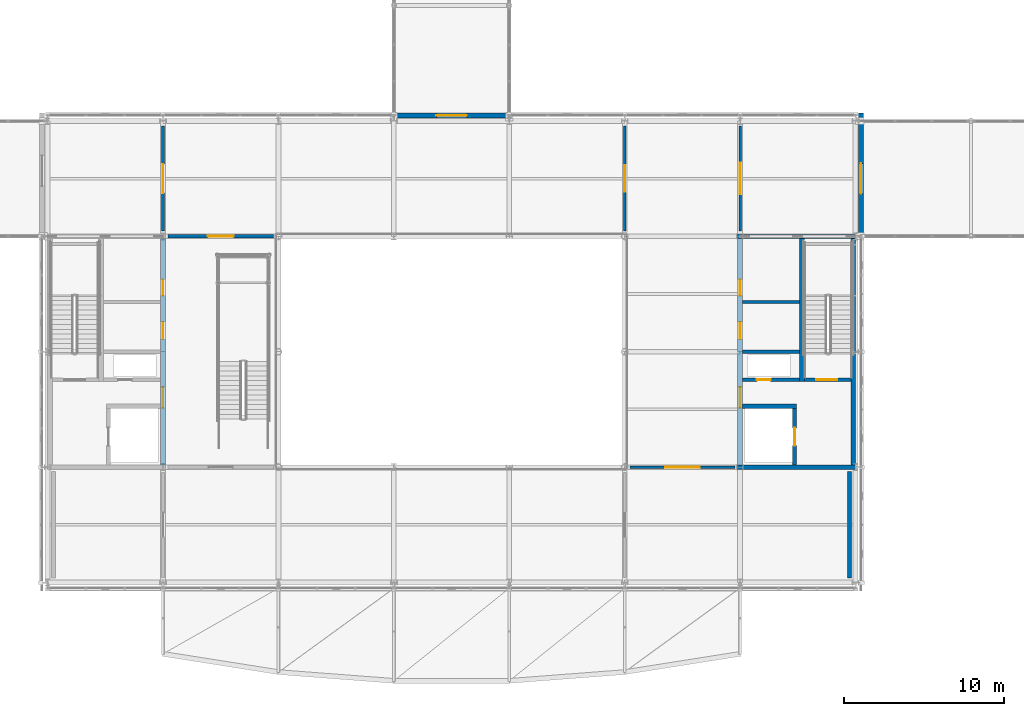
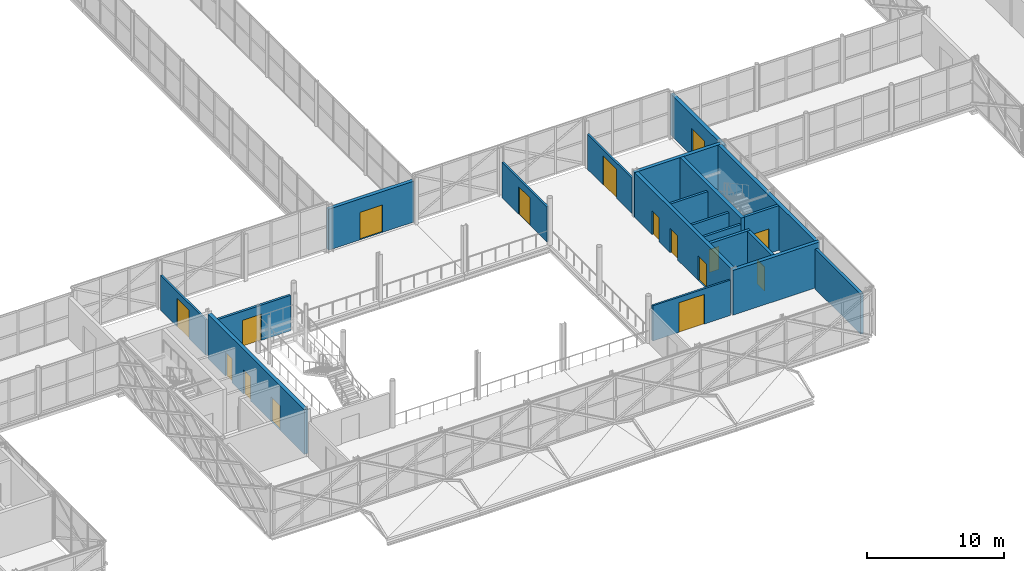
# One storey, part 121 of 146: 20 walls, 16 doors, 16 openings.
"""IFC4 building model written with IfcOpenShell, lengths in metres."""

from ifc_helpers import new_model, si_unit, direction, frame, frame_2d, origin, place, context, subcontext, project, spatial, rectangle, extrude, material, layer, layer_set, type_object, element, fill, save


model = new_model("IFC4")

# Units and contexts
model_context = context("Model", 3, precision=1e-05, world=origin(), true_north=direction((0.0, 1.0)))
body_context = subcontext(model_context, "Body", "Model", "MODEL_VIEW")
ifc_project = project(units=[si_unit("LENGTHUNIT", "METRE"), si_unit("AREAUNIT", "SQUARE_METRE"), si_unit("VOLUMEUNIT", "CUBIC_METRE"), si_unit("PLANEANGLEUNIT", "RADIAN"), si_unit("MASSUNIT", "GRAM", prefix="KILO")], contexts=[model_context])

# Site, building, storey
site_placement = place(None, origin())
site = spatial("IfcSite", under=ifc_project, at=site_placement, CompositionType="ELEMENT")
building_placement = place(site_placement, origin())
building = spatial("IfcBuilding", under=site, at=building_placement, Name="Zlatovets Crest Museum", CompositionType="ELEMENT")
storey_placement = place(building_placement, frame((0.0, 0.0, 4.5)))
storey = spatial("IfcBuildingStorey", under=building, at=storey_placement, Name="L01", CompositionType="ELEMENT", Elevation=4.5)

# Wall, openings, doors
ifc_material_1 = material(Name="Concrete C35/45", Category="concrete")
ifc_layer_1 = layer(ifc_material_1, 0.300048828125)
ifc_layer_set_1 = layer_set([ifc_layer_1], Name="Concrete C35/45")
wall_type_1 = type_object("IfcWallType", Name="CoreWall_SW01", PredefinedType="SHEAR", material=ifc_layer_set_1)
wall_1_placement = place(storey_placement, frame((64.800048828125, 7.35009765625, 0.0), z_axis=(0.0, 0.0, 1.0), x_axis=(0.0, 1.0, 0.0)))
wall_1 = element("IfcWall", 1, at=wall_1_placement, inside=storey, type_object=wall_type_1, Name="Core C2 L01 Spine Shear Wall", PredefinedType="SHEAR", context=body_context, shape_type="SweptSolid", body=[
    extrude(rectangle(XDim=14.099853515625, YDim=0.300048828125, at=frame_2d((7.0498046875, 0.0))), origin(), (0.0, 0.0, 1.0), 3.97998046875),
])
opening_1_placement = place(wall_1_placement, frame((3.550048828125, 0.0, 0.0)))
opening_1 = element("IfcOpeningElement", 2, at=opening_1_placement, cuts=wall_1, Name="Opening FD-01", PredefinedType="OPENING", context=body_context, shape_type="SweptSolid", body=[
    extrude(rectangle(XDim=1.300048828125, YDim=2.199951171875, at=frame_2d((0.64990234375, 1.10009765625))), frame((0.0, 0.16015625, 0.0), z_axis=(0.0, -1.0, 0.0), x_axis=(1.0, 0.0, 0.0)), (0.0, 0.0, 1.0), 0.320068359375),
])
opening_2_placement = place(wall_1_placement, frame((7.85009765625, 0.0, 0.0)))
opening_2 = element("IfcOpeningElement", 3, at=opening_2_placement, cuts=wall_1, Name="Opening ID-02", PredefinedType="OPENING", context=body_context, shape_type="SweptSolid", body=[
    extrude(rectangle(XDim=1.050048828125, YDim=2.14990234375, at=frame_2d((0.52490234375, 1.074951171875))), frame((0.0, 0.16015625, 0.0), z_axis=(0.0, -1.0, 0.0), x_axis=(1.0, 0.0, 0.0)), (0.0, 0.0, 1.0), 0.320068359375),
])
opening_3_placement = place(wall_1_placement, frame((10.550048828125, 0.0, 0.0)))
opening_3 = element("IfcOpeningElement", 4, at=opening_3_placement, cuts=wall_1, Name="Opening ID-01", PredefinedType="OPENING", context=body_context, shape_type="SweptSolid", body=[
    extrude(rectangle(XDim=1.0, YDim=2.14990234375, at=frame_2d((0.5, 1.074951171875))), frame((0.0, 0.16015625, 0.0), z_axis=(0.0, -1.0, 0.0), x_axis=(1.0, 0.0, 0.0)), (0.0, 0.0, 1.0), 0.320068359375),
])
ifc_material_2 = material(Name="Smoke-sealed steel fire door", Category="steel")
door_type_1 = type_object("IfcDoorType", Name="IntDoor_FD-01", OperationType="NOTDEFINED", PredefinedType="DOOR", material=ifc_material_2)
door_1_placement = place(opening_1_placement, origin())
door_1 = element("IfcDoor", 5, at=door_1_placement, inside=storey, type_object=door_type_1, Name="CDOOR-C2-L01-LOB Core C2 L01 Lobby Fire Door", OperationType="SINGLE_SWING_LEFT", OverallHeight=2.199951171875, OverallWidth=1.300048828125, PredefinedType="DOOR", context=body_context, shape_type="SweptSolid", body=[
    extrude(rectangle(XDim=1.300048828125, YDim=2.199951171875, at=frame_2d((0.64990234375, 1.10009765625))), frame((0.0, 0.02490234375, 0.0), z_axis=(0.0, -1.0, 0.0), x_axis=(1.0, 0.0, 0.0)), (0.0, 0.0, 1.0), 0.050048828125),
])
fill(opening_1, door_1)
ifc_material_3 = material(Name="Solid oak museum room door")
door_type_2 = type_object("IfcDoorType", Name="IntDoor_ID-01", OperationType="NOTDEFINED", PredefinedType="DOOR", material=ifc_material_3)
door_2_placement = place(opening_3_placement, origin())
door_2 = element("IfcDoor", 6, at=door_2_placement, inside=storey, type_object=door_type_2, Name="CDOOR-C2-L01-WC Core C2 L01 Public Restroom Door", OperationType="SINGLE_SWING_RIGHT", OverallHeight=2.14990234375, OverallWidth=1.0, PredefinedType="DOOR", context=body_context, shape_type="SweptSolid", body=[
    extrude(rectangle(XDim=1.0, YDim=2.14990234375, at=frame_2d((0.5, 1.074951171875))), frame((0.0, 0.02490234375, 0.0), z_axis=(0.0, -1.0, 0.0), x_axis=(1.0, 0.0, 0.0)), (0.0, 0.0, 1.0), 0.050048828125),
])
fill(opening_3, door_2)
ifc_material_4 = material(Name="Accessible sanitary room door")
door_type_3 = type_object("IfcDoorType", Name="IntDoor_ID-02", OperationType="NOTDEFINED", PredefinedType="DOOR", material=ifc_material_4)
door_3_placement = place(opening_2_placement, origin())
door_3 = element("IfcDoor", 7, at=door_3_placement, inside=storey, type_object=door_type_3, Name="CDOOR-C2-L01-AWC Core C2 L01 Accessible WC Door", OperationType="SINGLE_SWING_LEFT", OverallHeight=2.14990234375, OverallWidth=1.050048828125, PredefinedType="DOOR", context=body_context, shape_type="SweptSolid", body=[
    extrude(rectangle(XDim=1.050048828125, YDim=2.14990234375, at=frame_2d((0.52490234375, 1.074951171875))), frame((0.0, 0.02490234375, 0.0), z_axis=(0.0, -1.0, 0.0), x_axis=(1.0, 0.0, 0.0)), (0.0, 0.0, 1.0), 0.050048828125),
])
fill(opening_2, door_3)

# Walls
for number, where, z_axis, x_axis, name in (
    (8, (100.64990234375, 7.199951171875, 0.0), (0.0, 0.0, 1.0), (1.0, 0.0, 0.0), "Core C8 L01 South Shear Wall"),
    (9, (100.64990234375, 21.60009765625, 0.0), (0.0, 0.0, 1.0), (1.0, 0.0, 0.0), "Core C8 L01 North Shear Wall"),
):
    element("IfcWall", number, at=place(storey_placement, frame(where, z_axis=z_axis, x_axis=x_axis)), inside=storey, type_object=wall_type_1, Name=name, PredefinedType="SHEAR", context=body_context, shape_type="SweptSolid", body=[
        extrude(rectangle(XDim=7.35009765625, YDim=0.300048828125, at=frame_2d((3.675048828125, 0.0))), origin(), (0.0, 0.0, 1.0), 3.97998046875),
    ])
wall_2_placement = place(storey_placement, frame((107.85009765625, 7.35009765625, 0.0), z_axis=(0.0, 0.0, 1.0), x_axis=(0.0, 1.0, 0.0)))
element("IfcWall", 10, at=wall_2_placement, inside=storey, type_object=wall_type_1, Name="Core C8 L01 Perimeter Shear Wall", PredefinedType="SHEAR", context=body_context, shape_type="SweptSolid", body=[
    extrude(rectangle(XDim=14.099853515625, YDim=0.300048828125, at=frame_2d((7.0498046875, 0.0))), origin(), (0.0, 0.0, 1.0), 3.97998046875),
])

# Wall, openings, doors
wall_3_placement = place(storey_placement, frame((100.800048828125, 7.35009765625, 0.0), z_axis=(0.0, 0.0, 1.0), x_axis=(0.0, 1.0, 0.0)))
wall_3 = element("IfcWall", 11, at=wall_3_placement, inside=storey, type_object=wall_type_1, Name="Core C8 L01 Spine Shear Wall", PredefinedType="SHEAR", context=body_context, shape_type="SweptSolid", body=[
    extrude(rectangle(XDim=14.099853515625, YDim=0.300048828125, at=frame_2d((7.0498046875, 0.0))), origin(), (0.0, 0.0, 1.0), 3.97998046875),
])
opening_4_placement = place(wall_3_placement, frame((3.550048828125, 0.0, 0.0)))
opening_4 = element("IfcOpeningElement", 12, at=opening_4_placement, cuts=wall_3, Name="Opening FD-01", PredefinedType="OPENING", context=body_context, shape_type="SweptSolid", body=[
    extrude(rectangle(XDim=1.300048828125, YDim=2.199951171875, at=frame_2d((0.64990234375, 1.10009765625))), frame((0.0, 0.16015625, 0.0), z_axis=(0.0, -1.0, 0.0), x_axis=(1.0, 0.0, 0.0)), (0.0, 0.0, 1.0), 0.320068359375),
])
opening_5_placement = place(wall_3_placement, frame((7.85009765625, 0.0, 0.0)))
opening_5 = element("IfcOpeningElement", 13, at=opening_5_placement, cuts=wall_3, Name="Opening ID-02", PredefinedType="OPENING", context=body_context, shape_type="SweptSolid", body=[
    extrude(rectangle(XDim=1.050048828125, YDim=2.14990234375, at=frame_2d((0.52490234375, 1.074951171875))), frame((0.0, 0.16015625, 0.0), z_axis=(0.0, -1.0, 0.0), x_axis=(1.0, 0.0, 0.0)), (0.0, 0.0, 1.0), 0.320068359375),
])
opening_6_placement = place(wall_3_placement, frame((10.550048828125, 0.0, 0.0)))
opening_6 = element("IfcOpeningElement", 14, at=opening_6_placement, cuts=wall_3, Name="Opening ID-01", PredefinedType="OPENING", context=body_context, shape_type="SweptSolid", body=[
    extrude(rectangle(XDim=1.0, YDim=2.14990234375, at=frame_2d((0.5, 1.074951171875))), frame((0.0, 0.16015625, 0.0), z_axis=(0.0, -1.0, 0.0), x_axis=(1.0, 0.0, 0.0)), (0.0, 0.0, 1.0), 0.320068359375),
])
door_4_placement = place(opening_4_placement, origin())
door_4 = element("IfcDoor", 15, at=door_4_placement, inside=storey, type_object=door_type_1, Name="CDOOR-C8-L01-LOB Core C8 L01 Lobby Fire Door", OperationType="SINGLE_SWING_LEFT", OverallHeight=2.199951171875, OverallWidth=1.300048828125, PredefinedType="DOOR", context=body_context, shape_type="SweptSolid", body=[
    extrude(rectangle(XDim=1.300048828125, YDim=2.199951171875, at=frame_2d((0.64990234375, 1.10009765625))), frame((0.0, 0.02490234375, 0.0), z_axis=(0.0, -1.0, 0.0), x_axis=(1.0, 0.0, 0.0)), (0.0, 0.0, 1.0), 0.050048828125),
])
fill(opening_4, door_4)
door_5_placement = place(opening_6_placement, origin())
door_5 = element("IfcDoor", 16, at=door_5_placement, inside=storey, type_object=door_type_2, Name="CDOOR-C8-L01-WC Core C8 L01 Public Restroom Door", OperationType="SINGLE_SWING_RIGHT", OverallHeight=2.14990234375, OverallWidth=1.0, PredefinedType="DOOR", context=body_context, shape_type="SweptSolid", body=[
    extrude(rectangle(XDim=1.0, YDim=2.14990234375, at=frame_2d((0.5, 1.074951171875))), frame((0.0, 0.02490234375, 0.0), z_axis=(0.0, -1.0, 0.0), x_axis=(1.0, 0.0, 0.0)), (0.0, 0.0, 1.0), 0.050048828125),
])
fill(opening_6, door_5)
door_6_placement = place(opening_5_placement, origin())
door_6 = element("IfcDoor", 17, at=door_6_placement, inside=storey, type_object=door_type_3, Name="CDOOR-C8-L01-AWC Core C8 L01 Accessible WC Door", OperationType="SINGLE_SWING_LEFT", OverallHeight=2.14990234375, OverallWidth=1.050048828125, PredefinedType="DOOR", context=body_context, shape_type="SweptSolid", body=[
    extrude(rectangle(XDim=1.050048828125, YDim=2.14990234375, at=frame_2d((0.52490234375, 1.074951171875))), frame((0.0, 0.02490234375, 0.0), z_axis=(0.0, -1.0, 0.0), x_axis=(1.0, 0.0, 0.0)), (0.0, 0.0, 1.0), 0.050048828125),
])
fill(opening_5, door_6)

# Wall
wall_4_placement = place(storey_placement, frame((104.64990234375, 12.5400390625, 0.0), z_axis=(0.0, 0.0, 1.0), x_axis=(0.0, 1.0, 0.0)))
element("IfcWall", 18, at=wall_4_placement, inside=storey, type_object=wall_type_1, Name="Core C8 L01 Stair Divider Wall", PredefinedType="SHEAR", context=body_context, shape_type="SweptSolid", body=[
    extrude(rectangle(XDim=8.909912109375, YDim=0.300048828125, at=frame_2d((4.455078125, 0.0))), origin(), (0.0, 0.0, 1.0), 3.97998046875),
])

# Wall, opening, door
ifc_layer_2 = layer(ifc_material_1, 0.25)
ifc_layer_set_2 = layer_set([ifc_layer_2], Name="Concrete C35/45")
wall_type_2 = type_object("IfcWallType", Name="CoreWall_SW02", PredefinedType="SHEAR", material=ifc_layer_set_2)
wall_5_placement = place(storey_placement, frame((104.199951171875, 7.35009765625, 0.0), z_axis=(0.0, 0.0, 1.0), x_axis=(0.0, 1.0, 0.0)))
wall_5 = element("IfcWall", 19, at=wall_5_placement, inside=storey, type_object=wall_type_2, Name="Core C8 L01 Lift Shaft Wall", PredefinedType="SHEAR", context=body_context, shape_type="SweptSolid", body=[
    extrude(rectangle(XDim=3.52490234375, YDim=0.25, at=frame_2d((1.762451171875, 0.0))), origin(), (0.0, 0.0, 1.0), 3.97998046875),
])
opening_7_placement = place(wall_5_placement, frame((1.199951171875, 0.0, 0.0)))
opening_7 = element("IfcOpeningElement", 20, at=opening_7_placement, cuts=wall_5, Name="Opening LD-01", PredefinedType="OPENING", context=body_context, shape_type="SweptSolid", body=[
    extrude(rectangle(XDim=1.10009765625, YDim=2.14990234375, at=frame_2d((0.550048828125, 1.074951171875))), frame((0.0, 0.135009765625, 0.0), z_axis=(0.0, -1.0, 0.0), x_axis=(1.0, 0.0, 0.0)), (0.0, 0.0, 1.0), 0.27001953125),
])
ifc_material_5 = material(Name="Stainless-bronze sliding lift landing door")
door_type_4 = type_object("IfcDoorType", Name="IntDoor_LD-01", OperationType="SLIDING_TO_LEFT", PredefinedType="DOOR", material=ifc_material_5)
door_7_placement = place(opening_7_placement, origin())
door_7 = element("IfcDoor", 21, at=door_7_placement, inside=storey, type_object=door_type_4, Name="LDOOR-PL5-L01 Lift PL5 L01 Sliding Landing Door", OperationType="SLIDING_TO_LEFT", OverallHeight=2.14990234375, OverallWidth=1.10009765625, PredefinedType="DOOR", context=body_context, shape_type="SweptSolid", body=[
    extrude(rectangle(XDim=1.10009765625, YDim=2.14990234375, at=frame_2d((0.550048828125, 1.074951171875))), frame((0.0, 0.02490234375, 0.0), z_axis=(0.0, -1.0, 0.0), x_axis=(1.0, 0.0, 0.0)), (0.0, 0.0, 1.0), 0.050048828125),
])
fill(opening_7, door_7)

wall_6_placement = place(storey_placement, frame((104.800048828125, 12.64990234375, 0.0), z_axis=(0.0, 0.0, 1.0), x_axis=(1.0, 0.0, 0.0)))
wall_6 = element("IfcWall", 22, at=wall_6_placement, inside=storey, type_object=wall_type_2, Name="Core C8 L01 Stairwell Fire Wall", PredefinedType="SHEAR", context=body_context, shape_type="SweptSolid", body=[
    extrude(rectangle(XDim=2.89990234375, YDim=0.219970703125, at=frame_2d((1.449951171875, 0.0))), origin(), (0.0, 0.0, 1.0), 3.97998046875),
])
opening_8_placement = place(wall_6_placement, frame((0.75, 0.0, 0.0)))
opening_8 = element("IfcOpeningElement", 23, at=opening_8_placement, cuts=wall_6, Name="Opening FD-01", PredefinedType="OPENING", context=body_context, shape_type="SweptSolid", body=[
    extrude(rectangle(XDim=1.300048828125, YDim=2.199951171875, at=frame_2d((0.64990234375, 1.10009765625))), frame((0.0, 0.1201171875, 0.0), z_axis=(0.0, -1.0, 0.0), x_axis=(1.0, 0.0, 0.0)), (0.0, 0.0, 1.0), 0.239990234375),
])
door_8_placement = place(opening_8_placement, origin())
door_8 = element("IfcDoor", 24, at=door_8_placement, inside=storey, type_object=door_type_1, Name="SDOOR-ST9-L01 Stair ST9 L01 Fire Door", OperationType="SINGLE_SWING_LEFT", OverallHeight=2.199951171875, OverallWidth=1.300048828125, PredefinedType="DOOR", context=body_context, shape_type="SweptSolid", body=[
    extrude(rectangle(XDim=1.300048828125, YDim=2.199951171875, at=frame_2d((0.64990234375, 1.10009765625))), frame((0.0, 0.02490234375, 0.0), z_axis=(0.0, -1.0, 0.0), x_axis=(1.0, 0.0, 0.0)), (0.0, 0.0, 1.0), 0.050048828125),
])
fill(opening_8, door_8)

# Walls
wall_7_placement = place(storey_placement, frame((100.949951171875, 11.0, 0.0), z_axis=(0.0, 0.0, 1.0), x_axis=(1.0, 0.0, 0.0)))
element("IfcWall", 25, at=wall_7_placement, inside=storey, type_object=wall_type_2, Name="Core C8 L01 Lift Shaft North Shear Wall", PredefinedType="SHEAR", context=body_context, shape_type="SweptSolid", body=[
    extrude(rectangle(XDim=3.375, YDim=0.25, at=frame_2d((1.6875, 0.0))), origin(), (0.0, 0.0, 1.0), 3.97998046875),
])
ifc_material_6 = material(Name="Insulated gallery conservation liner wall", Category="concrete")
ifc_layer_3 = layer(ifc_material_6, 0.300048828125)
ifc_layer_set_3 = layer_set([ifc_layer_3], Name="Insulated gallery conservation liner wall")
wall_type_3 = type_object("IfcWallType", Name="ExtWall_EW-02", PredefinedType="STANDARD", material=ifc_layer_set_3)
wall_8_placement = place(storey_placement, frame((107.6201171875, 0.280029296875, 0.0), z_axis=(0.0, 0.0, 1.0), x_axis=(0.0, 1.0, 0.0)))
element("IfcWall", 26, at=wall_8_placement, inside=storey, type_object=wall_type_3, Name="V2 L01 Interior Conservation Gallery Liner Wall", PredefinedType="STANDARD", context=body_context, shape_type="SweptSolid", body=[
    extrude(rectangle(XDim=6.639892578125, YDim=0.239990234375, at=frame_2d((3.31982421875, 0.0))), origin(), (0.0, 0.0, 1.0), 3.580078125),
])

# Wall, opening, door
wall_9_placement = place(storey_placement, frame((108.340087890625, 21.60009765625, 0.0), z_axis=(0.0, 0.0, 1.0), x_axis=(0.0, 1.0, 0.0)))
wall_9 = element("IfcWall", 27, at=wall_9_placement, inside=storey, type_object=wall_type_3, Name="V2 L01 Bridge Portal Wall", PredefinedType="STANDARD", context=body_context, shape_type="SweptSolid", body=[
    extrude(rectangle(XDim=7.679931640625, YDim=0.300048828125, at=frame_2d((3.83984375, 0.0))), origin(), (0.0, 0.0, 1.0), 3.64990234375),
])
opening_9_placement = place(wall_9_placement, frame((2.64990234375, 0.0, 0.0)))
opening_9 = element("IfcOpeningElement", 28, at=opening_9_placement, cuts=wall_9, Name="Opening ED-02", PredefinedType="OPENING", context=body_context, shape_type="SweptSolid", body=[
    extrude(rectangle(XDim=1.89990234375, YDim=2.449951171875, at=frame_2d((0.949951171875, 1.22509765625))), frame((0.0, 0.16015625, 0.0), z_axis=(0.0, -1.0, 0.0), x_axis=(1.0, 0.0, 0.0)), (0.0, 0.0, 1.0), 0.320068359375),
])
ifc_material_7 = material(Name="Bronze-clad insulated steel door", Category="steel")
door_type_5 = type_object("IfcDoorType", Name="ExtDoor_ED-02", OperationType="NOTDEFINED", PredefinedType="DOOR", material=ifc_material_7)
door_9_placement = place(opening_9_placement, origin())
door_9 = element("IfcDoor", 29, at=door_9_placement, inside=storey, type_object=door_type_5, Name="ED-V2-L01-BR020 V2 L01 Bridge Link Portal Door", OperationType="DOUBLE_DOOR_SINGLE_SWING", OverallHeight=2.449951171875, OverallWidth=1.89990234375, PredefinedType="DOOR", context=body_context, shape_type="SweptSolid", body=[
    extrude(rectangle(XDim=1.89990234375, YDim=2.449951171875, at=frame_2d((0.949951171875, 1.22509765625))), frame((0.0, 0.02490234375, 0.0), z_axis=(0.0, -1.0, 0.0), x_axis=(1.0, 0.0, 0.0)), (0.0, 0.0, 1.0), 0.050048828125),
])
fill(opening_9, door_9)

wall_10_placement = place(storey_placement, frame((86.39990234375, 29.139892578125, 0.0), z_axis=(0.0, 0.0, 1.0), x_axis=(-1.0, 0.0, 0.0)))
wall_10 = element("IfcWall", 30, at=wall_10_placement, inside=storey, type_object=wall_type_3, Name="V2 L01 Bridge Portal Wall", PredefinedType="STANDARD", context=body_context, shape_type="SweptSolid", body=[
    extrude(rectangle(XDim=7.199951171875, YDim=0.300048828125, at=frame_2d((3.60009765625, 0.0))), origin(), (0.0, 0.0, 1.0), 3.64990234375),
])
opening_10_placement = place(wall_10_placement, frame((2.64990234375, 0.0, 0.0)))
opening_10 = element("IfcOpeningElement", 31, at=opening_10_placement, cuts=wall_10, Name="Opening ED-02", PredefinedType="OPENING", context=body_context, shape_type="SweptSolid", body=[
    extrude(rectangle(XDim=1.89990234375, YDim=2.449951171875, at=frame_2d((0.949951171875, 1.22509765625))), frame((0.0, 0.16015625, 0.0), z_axis=(0.0, -1.0, 0.0), x_axis=(1.0, 0.0, 0.0)), (0.0, 0.0, 1.0), 0.320068359375),
])
door_10_placement = place(opening_10_placement, origin())
door_10 = element("IfcDoor", 32, at=door_10_placement, inside=storey, type_object=door_type_5, Name="ED-V2-L01-BR021 V2 L01 Bridge Link Portal Door", OperationType="DOUBLE_DOOR_SINGLE_SWING", OverallHeight=2.449951171875, OverallWidth=1.89990234375, PredefinedType="DOOR", context=body_context, shape_type="SweptSolid", body=[
    extrude(rectangle(XDim=1.89990234375, YDim=2.449951171875, at=frame_2d((0.949951171875, 1.22509765625))), frame((0.0, 0.02490234375, 0.0), z_axis=(0.0, -1.0, 0.0), x_axis=(1.0, 0.0, 0.0)), (0.0, 0.0, 1.0), 0.050048828125),
])
fill(opening_10, door_10)

ifc_material_8 = material(Name="Gypsum-encased fire compartment partition")
ifc_layer_4 = layer(ifc_material_8, 0.199951171875)
ifc_layer_set_4 = layer_set([ifc_layer_4], Name="Gypsum-encased fire compartment partition")
wall_type_4 = type_object("IfcWallType", Name="PartWall_PT-01", PredefinedType="PARTITIONING", material=ifc_layer_set_4)
wall_11_placement = place(storey_placement, frame((65.1201171875, 21.60009765625, 0.0), z_axis=(0.0, 0.0, 1.0), x_axis=(1.0, 0.0, 0.0)))
wall_11 = element("IfcWall", 33, at=wall_11_placement, inside=storey, type_object=wall_type_4, Name="V2 L01 Interior Partition PT-01", PredefinedType="PARTITIONING", context=body_context, shape_type="SweptSolid", body=[
    extrude(rectangle(XDim=6.559814453125, YDim=0.199951171875, at=frame_2d((3.27978515625, 0.0))), origin(), (0.0, 0.0, 1.0), 3.14990234375),
])
opening_11_placement = place(wall_11_placement, frame((2.47998046875, 0.0, 0.0)))
opening_11 = element("IfcOpeningElement", 34, at=opening_11_placement, cuts=wall_11, Name="Opening ID-04", PredefinedType="OPENING", context=body_context, shape_type="SweptSolid", body=[
    extrude(rectangle(XDim=1.60009765625, YDim=2.35009765625, at=frame_2d((0.800048828125, 1.175048828125))), frame((0.0, 0.10986328125, 0.0), z_axis=(0.0, -1.0, 0.0), x_axis=(1.0, 0.0, 0.0)), (0.0, 0.0, 1.0), 0.219970703125),
])
ifc_material_9 = material(Name="Gallery salon double portal door")
door_type_6 = type_object("IfcDoorType", Name="IntDoor_ID-04", OperationType="DOUBLE_DOOR_SINGLE_SWING", PredefinedType="DOOR", material=ifc_material_9)
door_11_placement = place(opening_11_placement, origin())
door_11 = element("IfcDoor", 35, at=door_11_placement, inside=storey, type_object=door_type_6, Name="IDOOR-V2-L01-0106 Atrium West Stair Gallery L01 to Atrium South Gallery Walk Door", OperationType="DOUBLE_DOOR_SINGLE_SWING", OverallHeight=2.35009765625, OverallWidth=1.60009765625, PredefinedType="DOOR", context=body_context, shape_type="SweptSolid", body=[
    extrude(rectangle(XDim=1.60009765625, YDim=2.35009765625, at=frame_2d((0.800048828125, 1.175048828125))), frame((0.0, 0.02490234375, 0.0), z_axis=(0.0, -1.0, 0.0), x_axis=(1.0, 0.0, 0.0)), (0.0, 0.0, 1.0), 0.050048828125),
])
fill(opening_11, door_11)

ifc_material_10 = material(Name="Acoustic museum gallery stud partition")
ifc_layer_5 = layer(ifc_material_10, 0.159912109375)
ifc_layer_set_5 = layer_set([ifc_layer_5], Name="Acoustic museum gallery stud partition")
wall_type_5 = type_object("IfcWallType", Name="PartWall_PT-02", PredefinedType="PARTITIONING", material=ifc_layer_set_5)
wall_12_placement = place(storey_placement, frame((93.60009765625, 21.919921875, 0.0), z_axis=(0.0, 0.0, 1.0), x_axis=(0.0, 1.0, 0.0)))
wall_12 = element("IfcWall", 36, at=wall_12_placement, inside=storey, type_object=wall_type_5, Name="V2 L01 Interior Partition PT-02", PredefinedType="PARTITIONING", context=body_context, shape_type="SweptSolid", body=[
    extrude(rectangle(XDim=6.56005859375, YDim=0.159912109375, at=frame_2d((3.280029296875, 0.0))), origin(), (0.0, 0.0, 1.0), 3.14990234375),
])
opening_12_placement = place(wall_12_placement, frame((2.455078125, 0.0, 0.0)))
opening_12 = element("IfcOpeningElement", 37, at=opening_12_placement, cuts=wall_12, Name="Opening ID-24", PredefinedType="OPENING", context=body_context, shape_type="SweptSolid", body=[
    extrude(rectangle(XDim=1.64990234375, YDim=2.449951171875, at=frame_2d((0.824951171875, 1.22509765625))), frame((0.0, 0.08984375, 0.0), z_axis=(0.0, -1.0, 0.0), x_axis=(1.0, 0.0, 0.0)), (0.0, 0.0, 1.0), 0.179931640625),
])
ifc_material_11 = material(Name="Mineralogy salon double door")
door_type_7 = type_object("IfcDoorType", Name="IntDoor_ID-24", OperationType="DOUBLE_DOOR_SINGLE_SWING", PredefinedType="DOOR", material=ifc_material_11)
door_12_placement = place(opening_12_placement, origin())
door_12 = element("IfcDoor", 38, at=door_12_placement, inside=storey, type_object=door_type_7, Name="IDOOR-V2-L01-0109 Atrium South Gallery Walk to Temporary Photography Gallery Door", OperationType="DOUBLE_DOOR_SINGLE_SWING", OverallHeight=2.449951171875, OverallWidth=1.64990234375, PredefinedType="DOOR", context=body_context, shape_type="SweptSolid", body=[
    extrude(rectangle(XDim=1.64990234375, YDim=2.449951171875, at=frame_2d((0.824951171875, 1.22509765625))), frame((0.0, 0.02490234375, 0.0), z_axis=(0.0, -1.0, 0.0), x_axis=(1.0, 0.0, 0.0)), (0.0, 0.0, 1.0), 0.050048828125),
])
fill(opening_12, door_12)

wall_13_placement = place(storey_placement, frame((64.800048828125, 21.919921875, 0.0), z_axis=(0.0, 0.0, 1.0), x_axis=(0.0, 1.0, 0.0)))
wall_13 = element("IfcWall", 39, at=wall_13_placement, inside=storey, type_object=wall_type_5, Name="V2 L01 Interior Partition PT-02", PredefinedType="PARTITIONING", context=body_context, shape_type="SweptSolid", body=[
    extrude(rectangle(XDim=6.56005859375, YDim=0.159912109375, at=frame_2d((3.280029296875, 0.0))), origin(), (0.0, 0.0, 1.0), 3.14990234375),
])
opening_13_placement = place(wall_13_placement, frame((2.3798828125, 0.0, 0.0)))
opening_13 = element("IfcOpeningElement", 40, at=opening_13_placement, cuts=wall_13, Name="Opening ID-25", PredefinedType="OPENING", context=body_context, shape_type="SweptSolid", body=[
    extrude(rectangle(XDim=1.800048828125, YDim=2.550048828125, at=frame_2d((0.89990234375, 1.27490234375))), frame((0.0, 0.08984375, 0.0), z_axis=(0.0, -1.0, 0.0), x_axis=(1.0, 0.0, 0.0)), (0.0, 0.0, 1.0), 0.179931640625),
])
ifc_material_12 = material(Name="Exhibition enfilade double door")
door_type_8 = type_object("IfcDoorType", Name="IntDoor_ID-25", OperationType="DOUBLE_DOOR_SINGLE_SWING", PredefinedType="DOOR", material=ifc_material_12)
door_13_placement = place(opening_13_placement, origin())
door_13 = element("IfcDoor", 41, at=door_13_placement, inside=storey, type_object=door_type_8, Name="IDOOR-V2-L01-0110 Atrium South Gallery Walk to Court Corner Cabinet L01 Door", OperationType="DOUBLE_DOOR_SINGLE_SWING", OverallHeight=2.550048828125, OverallWidth=1.800048828125, PredefinedType="DOOR", context=body_context, shape_type="SweptSolid", body=[
    extrude(rectangle(XDim=1.800048828125, YDim=2.550048828125, at=frame_2d((0.89990234375, 1.27490234375))), frame((0.0, 0.02490234375, 0.0), z_axis=(0.0, -1.0, 0.0), x_axis=(1.0, 0.0, 0.0)), (0.0, 0.0, 1.0), 0.050048828125),
])
fill(opening_13, door_13)

wall_14_placement = place(storey_placement, frame((100.800048828125, 21.919921875, 0.0), z_axis=(0.0, 0.0, 1.0), x_axis=(0.0, 1.0, 0.0)))
wall_14 = element("IfcWall", 42, at=wall_14_placement, inside=storey, type_object=wall_type_5, Name="V2 L01 Interior Partition PT-02", PredefinedType="PARTITIONING", context=body_context, shape_type="SweptSolid", body=[
    extrude(rectangle(XDim=6.56005859375, YDim=0.159912109375, at=frame_2d((3.280029296875, 0.0))), origin(), (0.0, 0.0, 1.0), 3.14990234375),
])
opening_14_placement = place(wall_14_placement, frame((2.304931640625, 0.0, 0.0)))
opening_14 = element("IfcOpeningElement", 43, at=opening_14_placement, cuts=wall_14, Name="Opening ID-26", PredefinedType="OPENING", context=body_context, shape_type="SweptSolid", body=[
    extrude(rectangle(XDim=1.949951171875, YDim=2.60009765625, at=frame_2d((0.97509765625, 1.300048828125))), frame((0.0, 0.08984375, 0.0), z_axis=(0.0, -1.0, 0.0), x_axis=(1.0, 0.0, 0.0)), (0.0, 0.0, 1.0), 0.179931640625),
])
ifc_material_13 = material(Name="Belvedere gallery double portal")
door_type_9 = type_object("IfcDoorType", Name="IntDoor_ID-26", OperationType="DOUBLE_DOOR_SINGLE_SWING", PredefinedType="DOOR", material=ifc_material_13)
door_14_placement = place(opening_14_placement, origin())
door_14 = element("IfcDoor", 44, at=door_14_placement, inside=storey, type_object=door_type_9, Name="IDOOR-V2-L01-0111 Temporary Photography Gallery to East Court Cabinet L01 Door", OperationType="DOUBLE_DOOR_SINGLE_SWING", OverallHeight=2.60009765625, OverallWidth=1.949951171875, PredefinedType="DOOR", context=body_context, shape_type="SweptSolid", body=[
    extrude(rectangle(XDim=1.949951171875, YDim=2.60009765625, at=frame_2d((0.97509765625, 1.300048828125))), frame((0.0, 0.02490234375, 0.0), z_axis=(0.0, -1.0, 0.0), x_axis=(1.0, 0.0, 0.0)), (0.0, 0.0, 1.0), 0.050048828125),
])
fill(opening_14, door_14)

wall_15_placement = place(storey_placement, frame((93.919921875, 7.199951171875, 0.0), z_axis=(0.0, 0.0, 1.0), x_axis=(1.0, 0.0, 0.0)))
wall_15 = element("IfcWall", 45, at=wall_15_placement, inside=storey, type_object=wall_type_5, Name="V2 L01 Interior Partition PT-02", PredefinedType="PARTITIONING", context=body_context, shape_type="SweptSolid", body=[
    extrude(rectangle(XDim=6.56005859375, YDim=0.159912109375, at=frame_2d((3.280029296875, 0.0))), origin(), (0.0, 0.0, 1.0), 3.14990234375),
])
opening_15_placement = place(wall_15_placement, frame((2.205078125, 0.0, 0.0)))
opening_15 = element("IfcOpeningElement", 46, at=opening_15_placement, cuts=wall_15, Name="Opening ID-27", PredefinedType="OPENING", context=body_context, shape_type="SweptSolid", body=[
    extrude(rectangle(XDim=2.14990234375, YDim=2.64990234375, at=frame_2d((1.074951171875, 1.324951171875))), frame((0.0, 0.08984375, 0.0), z_axis=(0.0, -1.0, 0.0), x_axis=(1.0, 0.0, 0.0)), (0.0, 0.0, 1.0), 0.179931640625),
])
ifc_material_14 = material(Name="Monumental sculpture hall portal")
door_type_10 = type_object("IfcDoorType", Name="IntDoor_ID-27", OperationType="DOUBLE_DOOR_SINGLE_SWING", PredefinedType="DOOR", material=ifc_material_14)
door_15_placement = place(opening_15_placement, origin())
door_15 = element("IfcDoor", 47, at=door_15_placement, inside=storey, type_object=door_type_10, Name="IDOOR-V2-L01-0112 Temporary Photography Gallery to Education Workshop Room Door", OperationType="DOUBLE_DOOR_SINGLE_SWING", OverallHeight=2.64990234375, OverallWidth=2.14990234375, PredefinedType="DOOR", context=body_context, shape_type="SweptSolid", body=[
    extrude(rectangle(XDim=2.14990234375, YDim=2.64990234375, at=frame_2d((1.074951171875, 1.324951171875))), frame((0.0, 0.02490234375, 0.0), z_axis=(0.0, -1.0, 0.0), x_axis=(1.0, 0.0, 0.0)), (0.0, 0.0, 1.0), 0.050048828125),
])
fill(opening_15, door_15)

ifc_material_15 = material(Name="Sanitary core acoustic service wall")
ifc_layer_6 = layer(ifc_material_15, 0.219970703125)
ifc_layer_set_6 = layer_set([ifc_layer_6], Name="Sanitary core acoustic service wall")
wall_type_6 = type_object("IfcWallType", Name="PartWall_PT-04", PredefinedType="PLUMBINGWALL", material=ifc_layer_set_6)
wall_16_placement = place(storey_placement, frame((100.949951171875, 12.64990234375, 0.0), z_axis=(0.0, 0.0, 1.0), x_axis=(1.0, 0.0, 0.0)))
wall_16 = element("IfcWall", 48, at=wall_16_placement, inside=storey, type_object=wall_type_6, Name="Core C8 L01 Riser Lobby Wall", PredefinedType="PLUMBINGWALL", context=body_context, shape_type="SweptSolid", body=[
    extrude(rectangle(XDim=3.550048828125, YDim=0.199951171875, at=frame_2d((1.77490234375, 0.0))), origin(), (0.0, 0.0, 1.0), 3.39990234375),
])
opening_16_placement = place(wall_16_placement, frame((0.89990234375, 0.0, 0.0)))
opening_16 = element("IfcOpeningElement", 49, at=opening_16_placement, cuts=wall_16, Name="Opening FD-03", PredefinedType="OPENING", context=body_context, shape_type="SweptSolid", body=[
    extrude(rectangle(XDim=0.85009765625, YDim=2.050048828125, at=frame_2d((0.425048828125, 1.02490234375))), frame((0.0, 0.10986328125, 0.0), z_axis=(0.0, -1.0, 0.0), x_axis=(1.0, 0.0, 0.0)), (0.0, 0.0, 1.0), 0.219970703125),
])
ifc_material_16 = material(Name="Steel riser shaft access fire door", Category="steel")
door_type_11 = type_object("IfcDoorType", Name="IntDoor_FD-03", OperationType="NOTDEFINED", PredefinedType="TRAPDOOR", material=ifc_material_16)
door_16_placement = place(opening_16_placement, origin())
door_16 = element("IfcDoor", 50, at=door_16_placement, inside=storey, type_object=door_type_11, Name="CDOOR-C8-L01-RIS Core C8 L01 Riser Access Door", OperationType="SINGLE_SWING_RIGHT", OverallHeight=2.050048828125, OverallWidth=0.85009765625, PredefinedType="TRAPDOOR", context=body_context, shape_type="SweptSolid", body=[
    extrude(rectangle(XDim=0.85009765625, YDim=2.050048828125, at=frame_2d((0.425048828125, 1.02490234375))), frame((0.0, 0.02490234375, 0.0), z_axis=(0.0, -1.0, 0.0), x_axis=(1.0, 0.0, 0.0)), (0.0, 0.0, 1.0), 0.050048828125),
])
fill(opening_16, door_16)

# Walls
for number, where, z_axis, x_axis, name in (
    (51, (100.949951171875, 14.39990234375, 0.0), (0.0, 0.0, 1.0), (1.0, 0.0, 0.0), "Core C8 L01 Sanitary Divider"),
    (52, (100.949951171875, 17.5, 0.0), (0.0, 0.0, 1.0), (1.0, 0.0, 0.0), "Core C8 L01 Sanitary Divider"),
):
    element("IfcWall", number, at=place(storey_placement, frame(where, z_axis=z_axis, x_axis=x_axis)), inside=storey, type_object=wall_type_6, Name=name, PredefinedType="PLUMBINGWALL", context=body_context, shape_type="SweptSolid", body=[
        extrude(rectangle(XDim=3.550048828125, YDim=0.199951171875, at=frame_2d((1.77490234375, 0.0))), origin(), (0.0, 0.0, 1.0), 3.39990234375),
    ])

save(model, "model.ifc")
